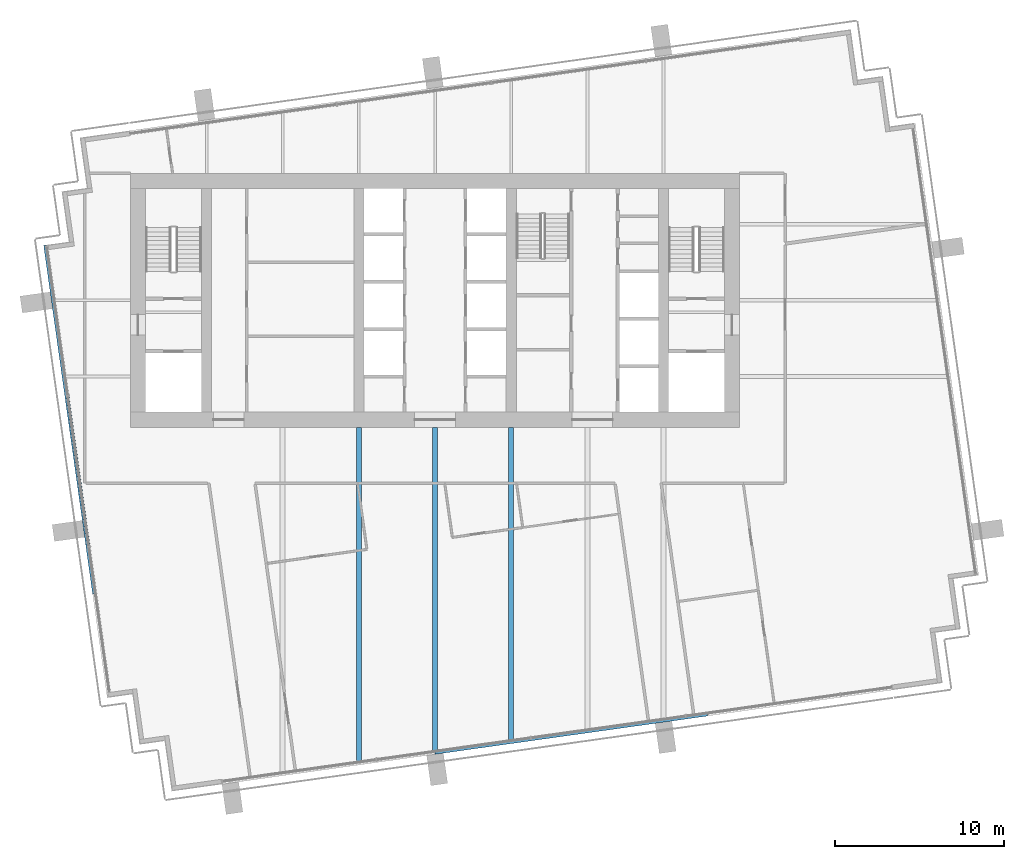
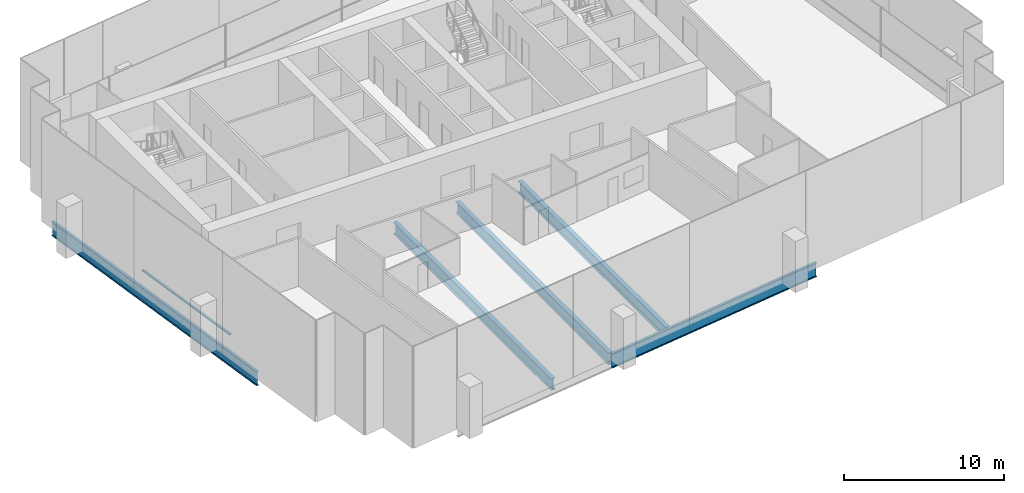
# One storey, part 3 of 17: 5 beams, 1 member, 1 element without a shape of its own.
"""IFC4 building model written with IfcOpenShell, lengths in metres."""

from ifc_helpers import new_model, si_unit, direction, frame, origin, origin_2d, place, context, subcontext, project, spatial, rectangle, i_section, extrude, material, layer, layer_set, material_profile, profile_set, type_object, element, aggregate, save


model = new_model("IFC4")

# Units and contexts
model_context = context("Model", 3, precision=1e-05, world=origin(), true_north=direction((0.0, 1.0)))
body_context = subcontext(model_context, "Body", "Model", "MODEL_VIEW")
ifc_project = project(units=[si_unit("LENGTHUNIT", "METRE"), si_unit("AREAUNIT", "SQUARE_METRE"), si_unit("VOLUMEUNIT", "CUBIC_METRE"), si_unit("PLANEANGLEUNIT", "RADIAN"), si_unit("MASSUNIT", "GRAM", prefix="KILO")], contexts=[model_context])

# Site, building, storey
site_placement = place(None, origin())
site = spatial("IfcSite", under=ifc_project, at=site_placement, CompositionType="ELEMENT")
building_placement = place(site_placement, origin())
building = spatial("IfcBuilding", under=site, at=building_placement, Name="Rattan Terrace Tower", CompositionType="ELEMENT")
storey_placement = place(building_placement, frame((0.0, 0.0, 213.5)))
storey = spatial("IfcBuildingStorey", under=building, at=storey_placement, Name="L48", CompositionType="ELEMENT", Elevation=213.5)

# Beams
ifc_material_1 = material(Name="Steel S460", Category="steel")
ifc_material_profile_1 = material_profile(ifc_material_1, i_section(OverallWidth=0.179931640625, OverallDepth=1.10009765625, WebThickness=0.01611328125, FlangeThickness=0.050048828125, at=origin_2d()), Name="PG 1100x180-16-50")
ifc_profile_set_1 = profile_set([ifc_material_profile_1], Name="Steel S460")
beam_type_1 = type_object("IfcBeamType", Name="Frame edge girder PG 1100x180-16-50", PredefinedType="SPANDREL", material=ifc_profile_set_1)
beam_1_placement = place(storey_placement, frame((16.0859375, -24.472900390625, -0.75), z_axis=(-0.990262693422, -0.139211342989, 0.0), x_axis=(0.139211342989, -0.990262693422, 0.0)))
element("IfcBeam", 1, at=beam_1_placement, inside=storey, type_object=beam_type_1, Name="gdr-L48-002", PredefinedType="SPANDREL", context=body_context, shape_type="SweptSolid", body=[
    extrude(i_section(OverallWidth=0.179931640625, OverallDepth=1.10009765625, WebThickness=0.01611328125, FlangeThickness=0.050048828125, at=origin_2d()), origin(), (0.0, 0.0, 1.0), 16.257080078125),
])
beam_2_placement = place(storey_placement, frame((-20.14111328125, -17.347900390625, -0.75), z_axis=(-0.139141602152, 0.9902724951, 0.0), x_axis=(-0.9902724951, -0.139141602152, 0.0)))
element("IfcBeam", 2, at=beam_2_placement, inside=storey, type_object=beam_type_1, Name="gdr-L48-003", PredefinedType="SPANDREL", context=body_context, shape_type="SweptSolid", body=[
    extrude(i_section(OverallWidth=0.179931640625, OverallDepth=1.10009765625, WebThickness=0.01611328125, FlangeThickness=0.050048828125, at=origin_2d()), origin(), (0.0, 0.0, 1.0), 20.813232421875),
])
ifc_material_2 = material(Name="Steel S355", Category="steel")
ifc_material_profile_2 = material_profile(ifc_material_2, i_section(OverallWidth=0.300048828125, OverallDepth=0.89990234375, WebThickness=0.0185546875, FlangeThickness=0.034912109375, FilletRadius=0.030029296875, at=origin_2d()), Name="HE 900 B")
ifc_profile_set_2 = profile_set([ifc_material_profile_2], Name="Steel S355")
beam_type_2 = type_object("IfcBeamType", Name="Frame floor beam HE 900 B", PredefinedType="JOIST", material=ifc_profile_set_2)
beam_3_placement = place(storey_placement, frame((4.5, -25.989990234375, -0.64990234375), z_axis=(0.0, 1.0, 0.0), x_axis=(-1.0, 0.0, 0.0)))
element("IfcBeam", 3, at=beam_3_placement, inside=storey, type_object=beam_type_2, Name="bm-L48-006", PredefinedType="JOIST", context=body_context, shape_type="SweptSolid", body=[
    extrude(i_section(OverallWidth=0.300048828125, OverallDepth=0.89990234375, WebThickness=0.0185546875, FlangeThickness=0.034912109375, FilletRadius=0.030029296875, at=origin_2d()), origin(), (0.0, 0.0, 1.0), 18.489990234375),
])
ifc_material_3 = material(Name="Steel S460", Category="steel")
ifc_material_profile_3 = material_profile(ifc_material_3, i_section(OverallWidth=0.300048828125, OverallDepth=0.89990234375, WebThickness=0.013916015625, FlangeThickness=0.035888671875, at=origin_2d()), Name="PG 900x300-14-36")
ifc_profile_set_3 = profile_set([ifc_material_profile_3], Name="Steel S460")
beam_type_3 = type_object("IfcBeamType", Name="Frame floor beam PG 900x300-14-36", PredefinedType="JOIST", material=ifc_profile_set_3)
beam_4_placement = place(storey_placement, frame((-4.5, -27.2548828125, -0.64990234375), z_axis=(0.0, 1.0, 0.0), x_axis=(-1.0, 0.0, 0.0)))
element("IfcBeam", 4, at=beam_4_placement, inside=storey, type_object=beam_type_3, Name="bm-L48-004", PredefinedType="JOIST", context=body_context, shape_type="SweptSolid", body=[
    extrude(i_section(OverallWidth=0.300048828125, OverallDepth=0.89990234375, WebThickness=0.013916015625, FlangeThickness=0.035888671875, at=origin_2d()), origin(), (0.0, 0.0, 1.0), 19.7548828125),
])
beam_5_placement = place(storey_placement, frame((0.0, -26.6220703125, -0.64990234375), z_axis=(0.0, 1.0, 0.0), x_axis=(-1.0, 0.0, 0.0)))
element("IfcBeam", 5, at=beam_5_placement, inside=storey, type_object=beam_type_3, Name="bm-L48-005", PredefinedType="JOIST", context=body_context, shape_type="SweptSolid", body=[
    extrude(i_section(OverallWidth=0.300048828125, OverallDepth=0.89990234375, WebThickness=0.013916015625, FlangeThickness=0.035888671875, at=origin_2d()), origin(), (0.0, 0.0, 1.0), 19.1220703125),
])

# Curtain wall, member
ifc_material_4 = material(Name="Aluminium and laminated glass", Category="aluminium")
ifc_layer = layer(ifc_material_4, 0.199951171875)
ifc_layer_set = layer_set([ifc_layer], Name="High-Zone Unitised Curtain Wall")
curtain_wall_type = type_object("IfcCurtainWallType", Name="High-Zone Unitised Curtain Wall", PredefinedType="NOTDEFINED", material=ifc_layer_set)
curtain_wall_placement = place(storey_placement, origin())
curtain_wall = element("IfcCurtainWall", 6, at=curtain_wall_placement, inside=storey, type_object=curtain_wall_type, Name="High-zone curtain wall L48-3", PredefinedType="NOTDEFINED")
ifc_material_5 = material(Name="Aluminium", Category="aluminium")
ifc_material_profile_4 = material_profile(ifc_material_5, rectangle(XDim=0.159912109375, YDim=0.070068359375, at=origin_2d()), Name="Aluminium 160x70")
ifc_profile_set_4 = profile_set([ifc_material_profile_4], Name="Aluminium")
member_type = type_object("IfcMemberType", Name="High-Zone CW Transom 160x70", PredefinedType="USERDEFINED", material=ifc_profile_set_4)
member_placement = place(storey_placement, frame((-21.7001953125, -5.67333984375, 1.0), z_axis=(0.139185713085, -0.990266296141, 0.0), x_axis=(0.990266296141, 0.139185713085, 0.0)))
member = element("IfcMember", 7, at=member_placement, type_object=member_type, Name="Transom cwl-L48-003.2", ObjectType="TRANSOM", PredefinedType="USERDEFINED", context=body_context, shape_type="SweptSolid", body=[
    extrude(rectangle(XDim=0.159912109375, YDim=0.070068359375, at=origin_2d()), origin(), (0.0, 0.0, 1.0), 8.929931640625),
])
aggregate(curtain_wall, [member])

save(model, "model.ifc")
